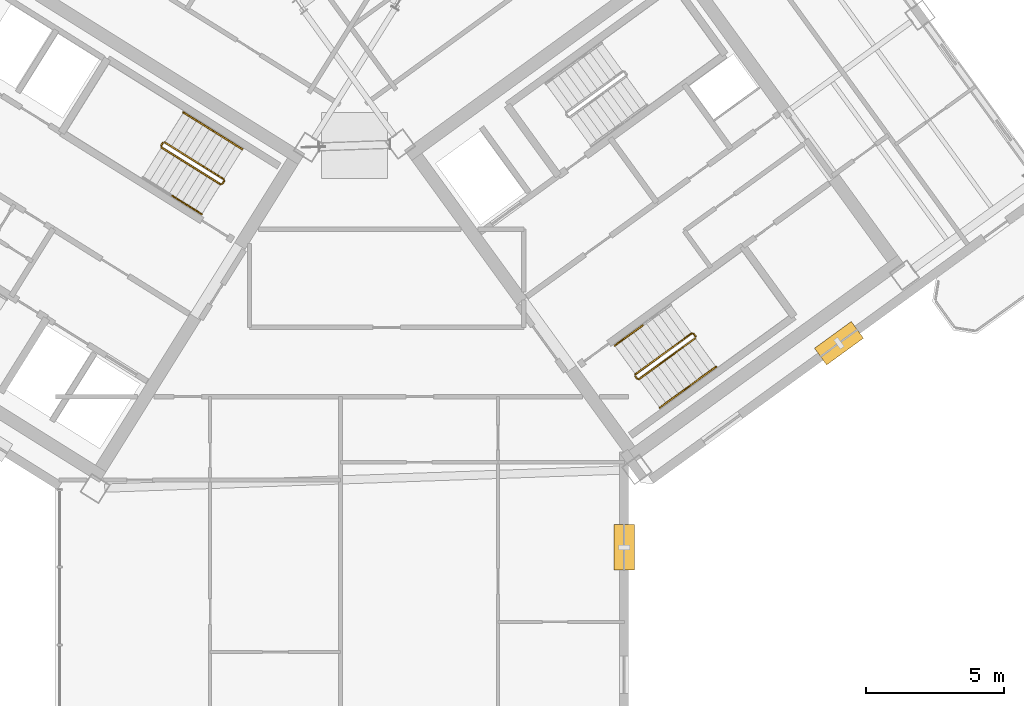
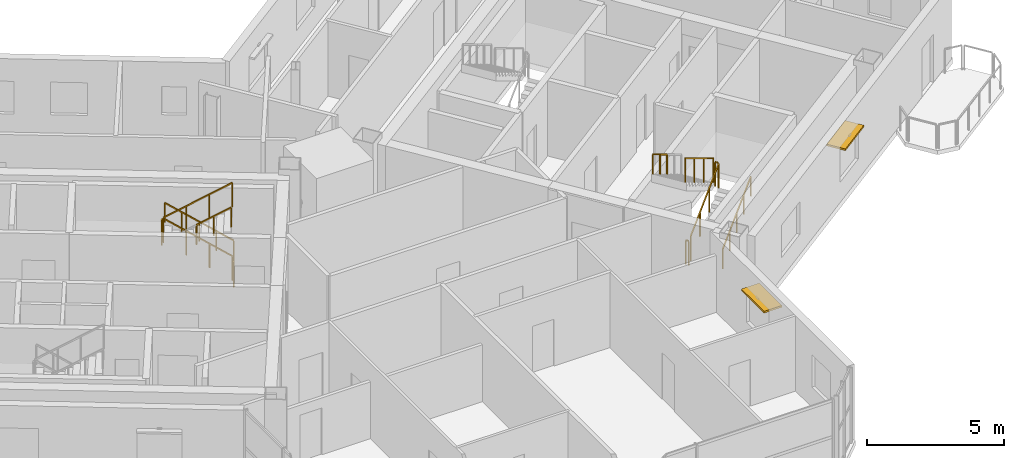
# One storey, part 21 of 23: 14 railings, 2 shading devices.
"""IFC4 building model written with IfcOpenShell, lengths in metres."""

from ifc_helpers import new_model, si_unit, direction, frame, origin, origin_2d, place, context, subcontext, project, spatial, rectangle, extrude, source, transform, mapped, material, layer, layer_set, type_object, element, save


model = new_model("IFC4")

# Units and contexts
model_context = context("Model", 3, precision=1e-05, world=origin(), true_north=direction((0.0, 1.0)))
body_context = subcontext(model_context, "Body", "Model", "MODEL_VIEW")
ifc_project = project(units=[si_unit("LENGTHUNIT", "METRE"), si_unit("AREAUNIT", "SQUARE_METRE"), si_unit("VOLUMEUNIT", "CUBIC_METRE"), si_unit("PLANEANGLEUNIT", "RADIAN"), si_unit("MASSUNIT", "GRAM", prefix="KILO")], contexts=[model_context])

# Site, building, storey
site_placement = place(None, origin())
site = spatial("IfcSite", under=ifc_project, at=site_placement, CompositionType="ELEMENT")
building_placement = place(site_placement, origin())
building = spatial("IfcBuilding", under=site, at=building_placement, Name="Tlacorven Tower", CompositionType="ELEMENT")
storey_placement = place(building_placement, frame((0.0, 0.0, 218.39990234375)))
storey = spatial("IfcBuildingStorey", under=building, at=storey_placement, Name="L55", CompositionType="ELEMENT", Elevation=218.39990234375)

# Shading devices
ifc_material_1 = material(Name="Anodised bronze aluminium sunshade", Category="aluminium")
ifc_layer = layer(ifc_material_1, 0.080078125)
ifc_layer_set = layer_set([ifc_layer], Name="Anodised bronze aluminium sunshade")
shading_device_type = type_object("IfcShadingDeviceType", Name="SH-SUN-BRZ", PredefinedType="AWNING", material=ifc_layer_set)
shared_shape_1 = source(origin(), body_context, "Body", "SweptSolid", [
    extrude(rectangle(XDim=1.64990234375, YDim=0.75, at=origin_2d()), origin(), (0.0, 0.0, 1.0), 0.080078125),
])
for number, where, z_axis, x_axis, name in (
    (1, (60.035888671875, 17.357666015625, 2.3701171875), (0.0, 0.0, 1.0), (-0.809016829126, -0.587785479738, 0.0), "L55 Solar Brise-Soleil Sunshade L55-06.1"),
    (2, (52.239990234375, 9.946533203125, 2.3701171875), (0.0, 0.0, 1.0), (0.0, -1.0, 0.0), "L55 Solar Brise-Soleil Sunshade L55-08.1"),
):
    element("IfcShadingDevice", number, at=place(storey_placement, frame(where, z_axis=z_axis, x_axis=x_axis)), inside=storey, type_object=shading_device_type, Name=name, PredefinedType="AWNING", context=body_context, shape_type="MappedRepresentation", body=[
        mapped(shared_shape_1, transform((0.0, 0.0, 0.0), scale=1.0)),
    ])

# Railings
ifc_material_2 = material(Name="Aluminium and painted steel balustrade", Category="steel")
railing_type_1 = type_object("IfcRailingType", Name="RL-GRD-1100", PredefinedType="GUARDRAIL", material=ifc_material_2)
shared_shape_2 = source(origin(), body_context, "Body", "SweptSolid", [
    extrude(rectangle(XDim=0.048095703125, YDim=0.048095703125, at=origin_2d()), frame((0.0, 0.0, 1.076171875), z_axis=(-0.530546985787, -0.847655529016, 0.0), x_axis=(0.847655529016, -0.530546985787, 0.0)), (0.0, 0.0, 1.0), 0.1201171875),
    extrude(rectangle(XDim=0.0419921875, YDim=0.0419921875, at=origin_2d()), origin(), (0.0, 0.0, 1.0), 1.052001953125),
    extrude(rectangle(XDim=0.0419921875, YDim=0.0419921875, at=origin_2d()), frame((-0.063720703125, -0.101806640625, 0.0)), (0.0, 0.0, 1.0), 1.052001953125),
])
railing_1_placement = place(storey_placement, frame((37.728271484375, 23.24072265625, 0.0)))
element("IfcRailing", 3, at=railing_1_placement, inside=storey, type_object=railing_type_1, Name="L55 ST-W2 stair guard 4", PredefinedType="GUARDRAIL", context=body_context, shape_type="MappedRepresentation", body=[
    mapped(shared_shape_2, transform((0.0, 0.0, 0.0), scale=1.0)),
])
railing_type_2 = type_object("IfcRailingType", Name="RL-HND-0900", PredefinedType="HANDRAIL", material=ifc_material_2)
shared_shape_3 = source(origin(), body_context, "Body", "SweptSolid", [
    extrude(rectangle(XDim=0.048095703125, YDim=0.048095703125, at=origin_2d()), frame((0.0, 0.0, 0.8759765625), z_axis=(-0.713359751793, 0.4457479829, 0.540764828981), x_axis=(-0.529911857636, -0.848052724267, 0.0)), (0.0, 0.0, 1.0), 1.498046875),
    extrude(rectangle(XDim=0.0419921875, YDim=0.0419921875, at=origin_2d()), origin(), (0.0, 0.0, 1.0), 0.851806640625),
    extrude(rectangle(XDim=0.0419921875, YDim=0.0419921875, at=origin_2d()), frame((-0.5341796875, 0.333984375, 0.405029296875)), (0.0, 0.0, 1.0), 0.851806640625),
    extrude(rectangle(XDim=0.0419921875, YDim=0.0419921875, at=origin_2d()), frame((-1.068603515625, 0.667724609375, 0.81005859375)), (0.0, 0.0, 1.0), 0.851806640625),
])
railing_2_placement = place(storey_placement, frame((37.322021484375, 25.062744140625, 0.989990234375)))
element("IfcRailing", 4, at=railing_2_placement, inside=storey, type_object=railing_type_2, Name="L55 ST-W2 stair handrail 2", PredefinedType="HANDRAIL", context=body_context, shape_type="MappedRepresentation", body=[
    mapped(shared_shape_3, transform((0.0, 0.0, 0.0), scale=1.0)),
])
shared_shape_4 = source(origin(), body_context, "Body", "SweptSolid", [
    extrude(rectangle(XDim=0.048095703125, YDim=0.048095703125, at=origin_2d()), frame((0.0, 0.0, 0.8759765625), z_axis=(0.713359751793, -0.4457479829, 0.540764828981), x_axis=(0.529911857636, 0.848052724267, 0.0)), (0.0, 0.0, 1.0), 1.498046875),
    extrude(rectangle(XDim=0.0419921875, YDim=0.0419921875, at=origin_2d()), origin(), (0.0, 0.0, 1.0), 0.851806640625),
    extrude(rectangle(XDim=0.0419921875, YDim=0.0419921875, at=origin_2d()), frame((0.5341796875, -0.333984375, 0.405029296875)), (0.0, 0.0, 1.0), 0.851806640625),
    extrude(rectangle(XDim=0.0419921875, YDim=0.0419921875, at=origin_2d()), frame((1.068603515625, -0.667724609375, 0.81005859375)), (0.0, 0.0, 1.0), 0.851806640625),
])
railing_3_placement = place(storey_placement, frame((35.848876953125, 22.705078125, 2.7900390625)))
element("IfcRailing", 5, at=railing_3_placement, inside=storey, type_object=railing_type_2, Name="L55 ST-W2 stair handrail 4", PredefinedType="HANDRAIL", context=body_context, shape_type="MappedRepresentation", body=[
    mapped(shared_shape_4, transform((0.0, 0.0, 0.0), scale=1.0)),
])
shared_shape_5 = source(origin(), body_context, "Body", "SweptSolid", [
    extrude(rectangle(XDim=0.048095703125, YDim=0.048095703125, at=origin_2d()), frame((0.0, 0.0, 1.076171875), z_axis=(-0.713351164325, 0.445793541512, 0.540738601085), x_axis=(-0.529955395941, -0.84802551749, 0.0)), (0.0, 0.0, 1.0), 2.99560546875),
    extrude(rectangle(XDim=0.0419921875, YDim=0.0419921875, at=origin_2d()), origin(), (0.0, 0.0, 1.0), 1.052001953125),
    extrude(rectangle(XDim=0.0419921875, YDim=0.0419921875, at=origin_2d()), frame((-0.71240234375, 0.445068359375, 0.5400390625)), (0.0, 0.0, 1.0), 1.052001953125),
    extrude(rectangle(XDim=0.0419921875, YDim=0.0419921875, at=origin_2d()), frame((-1.424560546875, 0.890380859375, 1.079833984375)), (0.0, 0.0, 1.0), 1.052001953125),
    extrude(rectangle(XDim=0.0419921875, YDim=0.0419921875, at=origin_2d()), frame((-2.136962890625, 1.33544921875, 1.619873046875)), (0.0, 0.0, 1.0), 1.052001953125),
])
railing_4_placement = place(storey_placement, frame((37.712158203125, 23.3095703125, 0.18017578125)))
element("IfcRailing", 6, at=railing_4_placement, inside=storey, type_object=railing_type_1, Name="L55 ST-W2 stair guard 1", PredefinedType="GUARDRAIL", context=body_context, shape_type="MappedRepresentation", body=[
    mapped(shared_shape_5, transform((0.0, 0.0, 0.0), scale=1.0)),
])
shared_shape_6 = source(origin(), body_context, "Body", "SweptSolid", [
    extrude(rectangle(XDim=0.048095703125, YDim=0.048095703125, at=origin_2d()), frame((0.0, 0.0, 0.8759765625), z_axis=(-0.713422621445, 0.445787267455, 0.540649494022), x_axis=(-0.529911857636, -0.848052724267, 0.0)), (0.0, 0.0, 1.0), 1.497802734375),
    extrude(rectangle(XDim=0.0419921875, YDim=0.0419921875, at=origin_2d()), origin(), (0.0, 0.0, 1.0), 0.851806640625),
    extrude(rectangle(XDim=0.0419921875, YDim=0.0419921875, at=origin_2d()), frame((-0.5341796875, 0.333984375, 0.40478515625)), (0.0, 0.0, 1.0), 0.851806640625),
    extrude(rectangle(XDim=0.0419921875, YDim=0.0419921875, at=origin_2d()), frame((-1.068603515625, 0.667724609375, 0.809814453125)), (0.0, 0.0, 1.0), 0.851806640625),
])
railing_5_placement = place(storey_placement, frame((38.390625, 24.39501953125, 0.18017578125)))
element("IfcRailing", 7, at=railing_5_placement, inside=storey, type_object=railing_type_2, Name="L55 ST-W2 stair handrail 1", PredefinedType="HANDRAIL", context=body_context, shape_type="MappedRepresentation", body=[
    mapped(shared_shape_6, transform((0.0, 0.0, 0.0), scale=1.0)),
])
shared_shape_7 = source(origin(), body_context, "Body", "SweptSolid", [
    extrude(rectangle(XDim=0.048095703125, YDim=0.048095703125, at=origin_2d()), frame((0.0, 0.0, 1.076171875), z_axis=(-0.531462422766, -0.847081869236, 0.0), x_axis=(0.847081869236, -0.531462422766, 0.0)), (0.0, 0.0, 1.0), 0.119873046875),
    extrude(rectangle(XDim=0.0419921875, YDim=0.0419921875, at=origin_2d()), origin(), (0.0, 0.0, 1.0), 1.052001953125),
    extrude(rectangle(XDim=0.0419921875, YDim=0.0419921875, at=origin_2d()), frame((-0.063720703125, -0.1015625, 0.0)), (0.0, 0.0, 1.0), 1.052001953125),
])
railing_6_placement = place(storey_placement, frame((35.50634765625, 24.62890625, 1.800048828125)))
element("IfcRailing", 8, at=railing_6_placement, inside=storey, type_object=railing_type_1, Name="L55 ST-W2 stair guard 2", PredefinedType="GUARDRAIL", context=body_context, shape_type="MappedRepresentation", body=[
    mapped(shared_shape_7, transform((0.0, 0.0, 0.0), scale=1.0)),
])
shared_shape_8 = source(origin(), body_context, "Body", "SweptSolid", [
    extrude(rectangle(XDim=0.048095703125, YDim=0.048095703125, at=origin_2d()), frame((0.0, 0.0, 1.076171875), z_axis=(0.713385662783, -0.445682681033, 0.540784470897), x_axis=(0.52984217967, 0.848096259066, 0.0)), (0.0, 0.0, 1.0), 2.995849609375),
    extrude(rectangle(XDim=0.0419921875, YDim=0.0419921875, at=origin_2d()), origin(), (0.0, 0.0, 1.0), 1.052001953125),
    extrude(rectangle(XDim=0.0419921875, YDim=0.0419921875, at=origin_2d()), frame((0.71240234375, -0.445068359375, 0.5400390625)), (0.0, 0.0, 1.0), 1.052001953125),
    extrude(rectangle(XDim=0.0419921875, YDim=0.0419921875, at=origin_2d()), frame((1.4248046875, -0.89013671875, 1.080078125)), (0.0, 0.0, 1.0), 1.052001953125),
    extrude(rectangle(XDim=0.0419921875, YDim=0.0419921875, at=origin_2d()), frame((2.13720703125, -1.335205078125, 1.6201171875)), (0.0, 0.0, 1.0), 1.052001953125),
])
railing_7_placement = place(storey_placement, frame((35.45849609375, 24.458251953125, 1.97998046875)))
element("IfcRailing", 9, at=railing_7_placement, inside=storey, type_object=railing_type_1, Name="L55 ST-W2 stair guard 3", PredefinedType="GUARDRAIL", context=body_context, shape_type="MappedRepresentation", body=[
    mapped(shared_shape_8, transform((0.0, 0.0, 0.0), scale=1.0)),
])
shared_shape_9 = source(origin(), body_context, "Body", "SweptSolid", [
    extrude(rectangle(XDim=0.048095703125, YDim=0.048095703125, at=origin_2d()), frame((0.0, 0.0, 1.076171875), z_axis=(-0.587567097037, 0.809175448515, 0.0), x_axis=(-0.809175448515, -0.587567097037, 0.0)), (0.0, 0.0, 1.0), 0.1201171875),
    extrude(rectangle(XDim=0.0419921875, YDim=0.0419921875, at=origin_2d()), origin(), (0.0, 0.0, 1.0), 1.052001953125),
    extrude(rectangle(XDim=0.0419921875, YDim=0.0419921875, at=origin_2d()), frame((-0.070556640625, 0.09716796875, 0.0)), (0.0, 0.0, 1.0), 1.052001953125),
])
for number, where, name in (
    (10, (54.8310546875, 17.605712890625, 1.800048828125), "L55 ST-E2 stair guard 2"),
    (11, (52.71142578125, 16.065673828125, 0.0), "L55 ST-E2 stair guard 4"),
):
    element("IfcRailing", number, at=place(storey_placement, frame(where)), inside=storey, type_object=railing_type_1, Name=name, PredefinedType="GUARDRAIL", context=body_context, shape_type="MappedRepresentation", body=[
        mapped(shared_shape_9, transform((0.0, 0.0, 0.0), scale=1.0)),
    ])
shared_shape_10 = source(origin(), body_context, "Body", "SweptSolid", [
    extrude(rectangle(XDim=0.048095703125, YDim=0.048095703125, at=origin_2d()), frame((0.0, 0.0, 0.8759765625), z_axis=(0.680516055757, 0.494372502302, 0.540826891737), x_axis=(-0.587745292299, 0.809046025502, 0.0)), (0.0, 0.0, 1.0), 1.497802734375),
    extrude(rectangle(XDim=0.0419921875, YDim=0.0419921875, at=origin_2d()), origin(), (0.0, 0.0, 1.0), 0.851806640625),
    extrude(rectangle(XDim=0.0419921875, YDim=0.0419921875, at=origin_2d()), frame((0.509765625, 0.3701171875, 0.405029296875)), (0.0, 0.0, 1.0), 0.851806640625),
    extrude(rectangle(XDim=0.0419921875, YDim=0.0419921875, at=origin_2d()), frame((1.019287109375, 0.740478515625, 0.81005859375)), (0.0, 0.0, 1.0), 0.851806640625),
])
railing_8_placement = place(storey_placement, frame((54.552978515625, 15.759765625, 0.989990234375)))
element("IfcRailing", 12, at=railing_8_placement, inside=storey, type_object=railing_type_2, Name="L55 ST-E2 stair handrail 2", PredefinedType="HANDRAIL", context=body_context, shape_type="MappedRepresentation", body=[
    mapped(shared_shape_10, transform((0.0, 0.0, 0.0), scale=1.0)),
])
shared_shape_11 = source(origin(), body_context, "Body", "SweptSolid", [
    extrude(rectangle(XDim=0.048095703125, YDim=0.048095703125, at=origin_2d()), frame((0.0, 0.0, 0.8759765625), z_axis=(-0.680461216233, -0.494495647917, 0.540783309093), x_axis=(0.587872112667, -0.808953879494, 0.0)), (0.0, 0.0, 1.0), 1.498046875),
    extrude(rectangle(XDim=0.0419921875, YDim=0.0419921875, at=origin_2d()), origin(), (0.0, 0.0, 1.0), 0.851806640625),
    extrude(rectangle(XDim=0.0419921875, YDim=0.0419921875, at=origin_2d()), frame((-0.509765625, -0.370361328125, 0.405029296875)), (0.0, 0.0, 1.0), 0.851806640625),
    extrude(rectangle(XDim=0.0419921875, YDim=0.0419921875, at=origin_2d()), frame((-1.019287109375, -0.74072265625, 0.81005859375)), (0.0, 0.0, 1.0), 0.851806640625),
])
railing_9_placement = place(storey_placement, frame((52.9189453125, 18.0087890625, 2.7900390625)))
element("IfcRailing", 13, at=railing_9_placement, inside=storey, type_object=railing_type_2, Name="L55 ST-E2 stair handrail 4", PredefinedType="HANDRAIL", context=body_context, shape_type="MappedRepresentation", body=[
    mapped(shared_shape_11, transform((0.0, 0.0, 0.0), scale=1.0)),
])
shared_shape_12 = source(origin(), body_context, "Body", "SweptSolid", [
    extrude(rectangle(XDim=0.048095703125, YDim=0.048095703125, at=origin_2d()), frame((0.0, 0.0, 1.076171875), z_axis=(-0.680532390839, -0.494406659708, 0.54077511024), x_axis=(0.587762637553, -0.809033424462, 0.0)), (0.0, 0.0, 1.0), 2.995849609375),
    extrude(rectangle(XDim=0.0419921875, YDim=0.0419921875, at=origin_2d()), origin(), (0.0, 0.0, 1.0), 1.052001953125),
    extrude(rectangle(XDim=0.0419921875, YDim=0.0419921875, at=origin_2d()), frame((-0.6796875, -0.49365234375, 0.5400390625)), (0.0, 0.0, 1.0), 1.052001953125),
    extrude(rectangle(XDim=0.0419921875, YDim=0.0419921875, at=origin_2d()), frame((-1.359130859375, -0.987548828125, 1.080078125)), (0.0, 0.0, 1.0), 1.052001953125),
    extrude(rectangle(XDim=0.0419921875, YDim=0.0419921875, at=origin_2d()), frame((-2.038818359375, -1.481201171875, 1.6201171875)), (0.0, 0.0, 1.0), 1.052001953125),
])
railing_10_placement = place(storey_placement, frame((54.690673828125, 17.7138671875, 1.97998046875)))
element("IfcRailing", 14, at=railing_10_placement, inside=storey, type_object=railing_type_1, Name="L55 ST-E2 stair guard 3", PredefinedType="GUARDRAIL", context=body_context, shape_type="MappedRepresentation", body=[
    mapped(shared_shape_12, transform((0.0, 0.0, 0.0), scale=1.0)),
])
shared_shape_13 = source(origin(), body_context, "Body", "SweptSolid", [
    extrude(rectangle(XDim=0.048095703125, YDim=0.048095703125, at=origin_2d()), frame((0.0, 0.0, 1.076171875), z_axis=(0.680562380517, 0.494428447203, 0.540717446381), x_axis=(-0.587762637553, 0.809033424462, 0.0)), (0.0, 0.0, 1.0), 2.995849609375),
    extrude(rectangle(XDim=0.0419921875, YDim=0.0419921875, at=origin_2d()), origin(), (0.0, 0.0, 1.0), 1.052001953125),
    extrude(rectangle(XDim=0.0419921875, YDim=0.0419921875, at=origin_2d()), frame((0.6796875, 0.49365234375, 0.5400390625)), (0.0, 0.0, 1.0), 1.052001953125),
    extrude(rectangle(XDim=0.0419921875, YDim=0.0419921875, at=origin_2d()), frame((1.359130859375, 0.987548828125, 1.079833984375)), (0.0, 0.0, 1.0), 1.052001953125),
    extrude(rectangle(XDim=0.0419921875, YDim=0.0419921875, at=origin_2d()), frame((2.038818359375, 1.481201171875, 1.619873046875)), (0.0, 0.0, 1.0), 1.052001953125),
])
railing_11_placement = place(storey_placement, frame((52.78125, 16.0546875, 0.18017578125)))
element("IfcRailing", 15, at=railing_11_placement, inside=storey, type_object=railing_type_1, Name="L55 ST-E2 stair guard 1", PredefinedType="GUARDRAIL", context=body_context, shape_type="MappedRepresentation", body=[
    mapped(shared_shape_13, transform((0.0, 0.0, 0.0), scale=1.0)),
])
shared_shape_14 = source(origin(), body_context, "Body", "SweptSolid", [
    extrude(rectangle(XDim=0.048095703125, YDim=0.048095703125, at=origin_2d()), frame((0.0, 0.0, 0.8759765625), z_axis=(0.680521190579, 0.494539231669, 0.540667973449), x_axis=(-0.587872112667, 0.808953879494, 0.0)), (0.0, 0.0, 1.0), 1.497802734375),
    extrude(rectangle(XDim=0.0419921875, YDim=0.0419921875, at=origin_2d()), origin(), (0.0, 0.0, 1.0), 0.851806640625),
    extrude(rectangle(XDim=0.0419921875, YDim=0.0419921875, at=origin_2d()), frame((0.509765625, 0.370361328125, 0.40478515625)), (0.0, 0.0, 1.0), 0.851806640625),
    extrude(rectangle(XDim=0.0419921875, YDim=0.0419921875, at=origin_2d()), frame((1.019287109375, 0.74072265625, 0.809814453125)), (0.0, 0.0, 1.0), 0.851806640625),
])
railing_12_placement = place(storey_placement, frame((53.53369140625, 15.01904296875, 0.18017578125)))
element("IfcRailing", 16, at=railing_12_placement, inside=storey, type_object=railing_type_2, Name="L55 ST-E2 stair handrail 1", PredefinedType="HANDRAIL", context=body_context, shape_type="MappedRepresentation", body=[
    mapped(shared_shape_14, transform((0.0, 0.0, 0.0), scale=1.0)),
])

save(model, "model.ifc")
